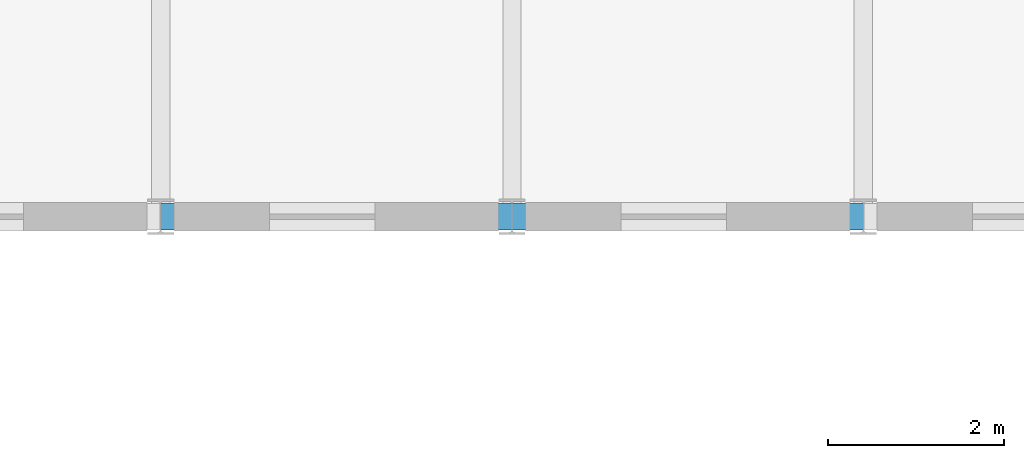
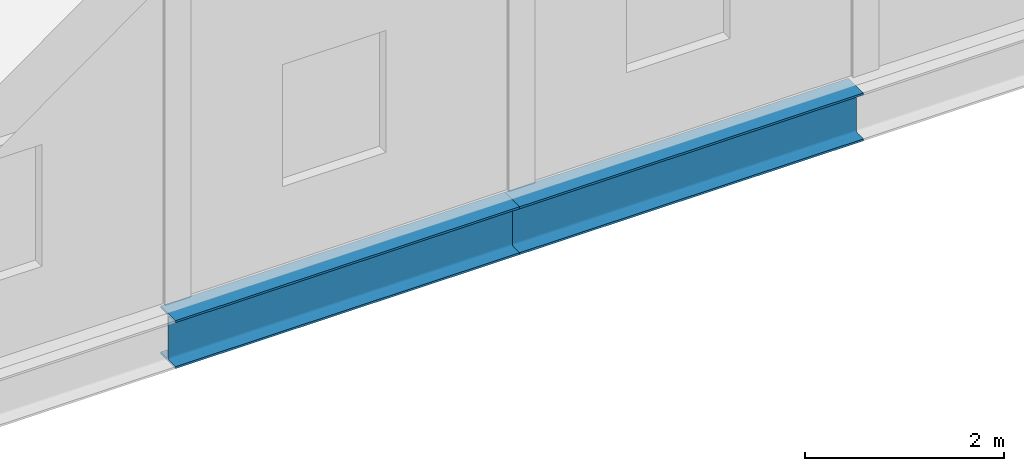
# One storey, part 58 of 101: 2 beams.
"""IFC4 building model written with IfcOpenShell, lengths in metres."""

from ifc_helpers import new_model, si_unit, derived_unit, direction, frame, origin, origin_2d, place, context, subcontext, project, spatial, i_section, extrude, material, material_profile, profile_set, type_object, element, save


model = new_model("IFC4")

# Units and contexts
model_context = context("Model", 3, precision=1e-05, world=origin(), true_north=direction((0.0, 1.0)))
body_context = subcontext(model_context, "Body", "Model", "MODEL_VIEW")
ifc_project = project(units=[si_unit("LENGTHUNIT", "METRE"), si_unit("AREAUNIT", "SQUARE_METRE"), si_unit("VOLUMEUNIT", "CUBIC_METRE"), si_unit("PLANEANGLEUNIT", "RADIAN"), si_unit("MASSUNIT", "GRAM", prefix="KILO"), derived_unit("THERMALTRANSMITTANCEUNIT", [(si_unit("POWERUNIT", "WATT"), 1), (si_unit("LENGTHUNIT", "METRE"), -2), (si_unit("THERMODYNAMICTEMPERATUREUNIT", "KELVIN"), -1)])], contexts=[model_context])

# Site, building, storey
site_placement = place(None, origin())
site = spatial("IfcSite", under=ifc_project, at=site_placement, CompositionType="ELEMENT")
building_placement = place(site_placement, origin())
building = spatial("IfcBuilding", under=site, at=building_placement, Name="Keldorne Ridge Multi-Sports Centre", CompositionType="ELEMENT")
storey_placement = place(building_placement, origin())
storey = spatial("IfcBuildingStorey", under=building, at=storey_placement, Name="L00", CompositionType="ELEMENT", Elevation=0.0)

# Beams
ifc_material = material(Name="Steel S355", Category="steel")
ifc_material_profile = material_profile(ifc_material, i_section(OverallWidth=0.300048828125, OverallDepth=0.590087890625, WebThickness=0.012939453125, FlangeThickness=0.02490234375, FilletRadius=0.027099609375, at=origin_2d()), Name="HEA 600")
ifc_profile_set = profile_set([ifc_material_profile], Name="Steel S355")
beam_type = type_object("IfcBeamType", Name="BM-B-06", PredefinedType="BEAM", material=ifc_profile_set)
for number, where, z_axis, x_axis, name in (
    (1, (140.0, 66.0, -0.56494140625), (1.0, 0.0, 0.0), (0.0, 1.0, 0.0), "L00 primary beam 8.66"),
    (2, (144.0, 66.0, -0.56494140625), (1.0, 0.0, 0.0), (0.0, 1.0, 0.0), "L00 primary beam 9.66"),
):
    element("IfcBeam", number, at=place(storey_placement, frame(where, z_axis=z_axis, x_axis=x_axis)), inside=storey, type_object=beam_type, Name=name, PredefinedType="BEAM", context=body_context, shape_type="SweptSolid", body=[
        extrude(i_section(OverallWidth=0.300048828125, OverallDepth=0.590087890625, WebThickness=0.012939453125, FlangeThickness=0.02490234375, FilletRadius=0.027099609375, at=origin_2d()), origin(), (0.0, 0.0, 1.0), 4.0),
    ])

save(model, "model.ifc")
